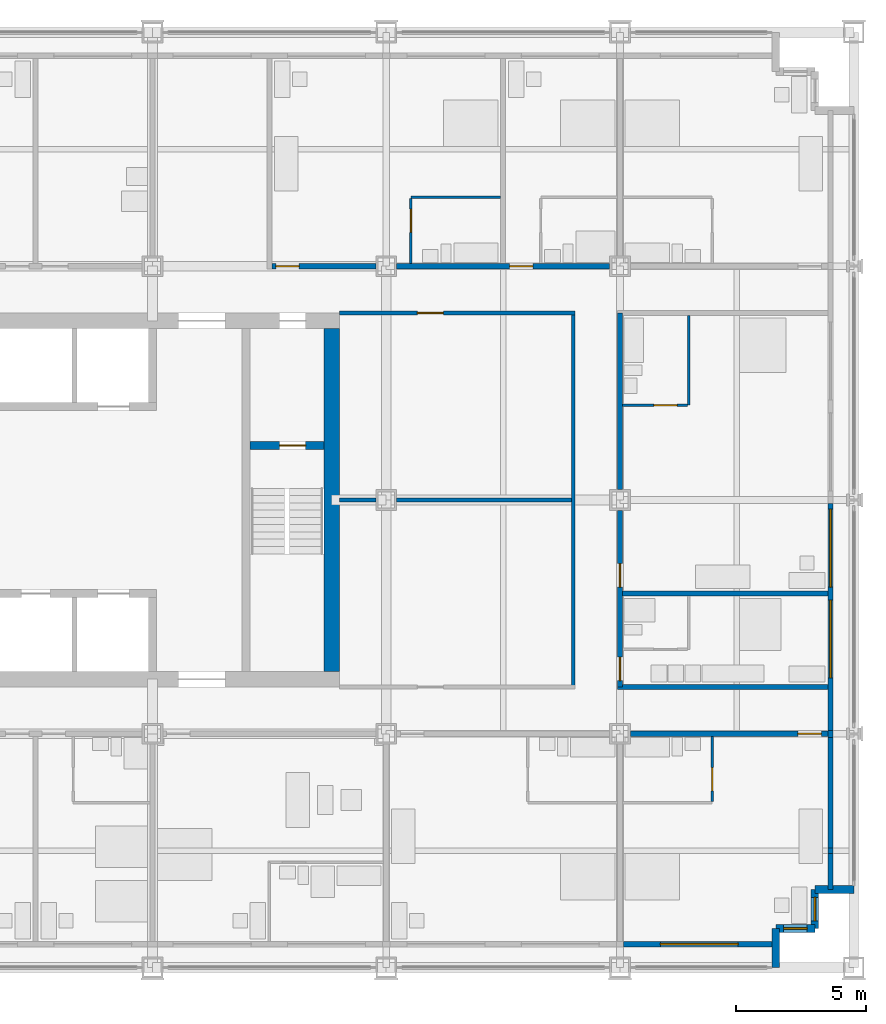
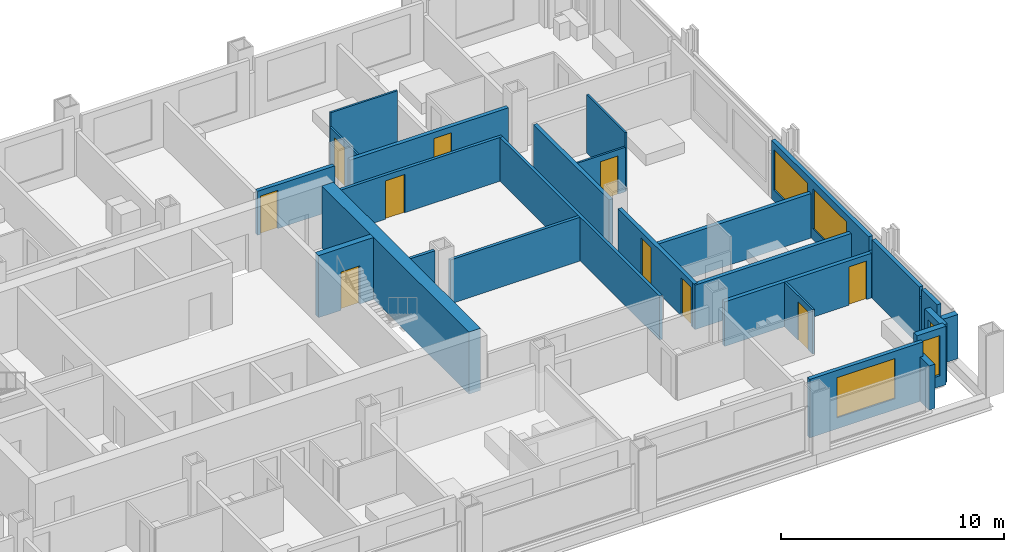
# One storey, part 13 of 18: 28 walls, 10 doors, 5 windows, 15 openings.
"""IFC4 building model written with IfcOpenShell, lengths in metres."""

from ifc_helpers import new_model, si_unit, direction, frame, frame_2d, origin, place, context, subcontext, project, spatial, rectangle, extrude, material, layer, layer_set, type_object, element, fill, save


model = new_model("IFC4")

# Units and contexts
model_context = context("Model", 3, precision=1e-05, world=origin(), true_north=direction((0.0, 1.0)))
body_context = subcontext(model_context, "Body", "Model", "MODEL_VIEW")
ifc_project = project(units=[si_unit("LENGTHUNIT", "METRE"), si_unit("AREAUNIT", "SQUARE_METRE"), si_unit("VOLUMEUNIT", "CUBIC_METRE"), si_unit("PLANEANGLEUNIT", "RADIAN"), si_unit("MASSUNIT", "GRAM", prefix="KILO")], contexts=[model_context])

# Site, building, storey
site_placement = place(None, origin())
site = spatial("IfcSite", under=ifc_project, at=site_placement, CompositionType="ELEMENT")
building_placement = place(site_placement, origin())
building = spatial("IfcBuilding", under=site, at=building_placement, Name="Loomwork Tower", CompositionType="ELEMENT")
storey_placement = place(building_placement, frame((0.0, 0.0, 62.0)))
storey = spatial("IfcBuildingStorey", under=building, at=storey_placement, Name="L15", CompositionType="ELEMENT", Elevation=62.0)

# Wall, opening, door
ifc_material_1 = material(Name="Concrete 14000 psi (97 MPa)", Category="concrete")
ifc_layer_1 = layer(ifc_material_1, 0.300048828125)
ifc_layer_set_1 = layer_set([ifc_layer_1], Name="Core shear wall 300")
wall_type_1 = type_object("IfcWallType", Name="Core shear wall 300", PredefinedType="SHEAR", material=ifc_layer_set_1)
wall_1_placement = place(storey_placement, frame((30.75, 20.10009765625, 0.0), z_axis=(0.0, 0.0, 1.0), x_axis=(1.0, 0.0, 0.0)))
wall_1 = element("IfcWall", 1, at=wall_1_placement, inside=storey, type_object=wall_type_1, Name="Stair B north wall L15", PredefinedType="SHEAR", context=body_context, shape_type="SweptSolid", body=[
    extrude(rectangle(XDim=2.85009765625, YDim=0.300048828125, at=frame_2d((1.425048828125, 0.0))), origin(), (0.0, 0.0, 1.0), 3.39990234375),
])
opening_1_placement = place(wall_1_placement, frame((1.14990234375, 0.0, 0.0)))
opening_1 = element("IfcOpeningElement", 2, at=opening_1_placement, cuts=wall_1, Name="Opening D4", PredefinedType="OPENING", context=body_context, shape_type="SweptSolid", body=[
    extrude(rectangle(XDim=1.0, YDim=2.10009765625, at=frame_2d((0.5, 1.050048828125))), frame((0.0, 0.159912109375, 0.0), z_axis=(0.0, -1.0, 0.0), x_axis=(1.0, 0.0, 0.0)), (0.0, 0.0, 1.0), 0.320068359375),
])
ifc_material_2 = material(Name="Hollow metal door and frame")
door_type_1 = type_object("IfcDoorType", Name="Stair door 1000", OperationType="SINGLE_SWING_RIGHT", PredefinedType="DOOR", material=ifc_material_2)
door_1_placement = place(opening_1_placement, frame((1.0, 0.0, 0.0), z_axis=(0.0, 0.0, 1.0), x_axis=(-1.0, 0.0, 0.0)))
door_1 = element("IfcDoor", 3, at=door_1_placement, inside=storey, type_object=door_type_1, Name="Stair B door", OperationType="SINGLE_SWING_LEFT", OverallHeight=2.10009765625, OverallWidth=1.0, PredefinedType="DOOR", context=body_context, shape_type="SweptSolid", body=[
    extrude(rectangle(XDim=1.0, YDim=2.10009765625, at=frame_2d((0.5, 1.050048828125))), frame((0.0, 0.02490234375, 0.0), z_axis=(0.0, -1.0, 0.0), x_axis=(1.0, 0.0, 0.0)), (0.0, 0.0, 1.0), 0.050048828125),
])
fill(opening_1, door_1)

# Wall
ifc_material_3 = material(Name="Concrete 14000 psi (97 MPa)", Category="concrete")
ifc_layer_2 = layer(ifc_material_3, 0.60009765625)
ifc_layer_set_2 = layer_set([ifc_layer_2], Name="Core shear wall 600")
wall_type_2 = type_object("IfcWallType", Name="Core shear wall 600", PredefinedType="SHEAR", material=ifc_layer_set_2)
wall_2_placement = place(storey_placement, frame((33.89990234375, 11.39990234375, 0.0), z_axis=(0.0, 0.0, 1.0), x_axis=(0.0, 1.0, 0.0)))
element("IfcWall", 4, at=wall_2_placement, inside=storey, type_object=wall_type_2, Name="Core wall east L15", PredefinedType="SHEAR", context=body_context, shape_type="SweptSolid", body=[
    extrude(rectangle(XDim=13.2001953125, YDim=0.60009765625, at=frame_2d((6.60009765625, 0.0))), origin(), (0.0, 0.0, 1.0), 3.39990234375),
])

# Wall, opening, door
ifc_material_4 = material(Name="Gypsum board on steel studs, one-hour", Category="steel")
ifc_layer_3 = layer(ifc_material_4, 0.199951171875)
ifc_layer_set_3 = layer_set([ifc_layer_3], Name="Corridor wall 200")
wall_type_3 = type_object("IfcWallType", Name="Corridor wall 200", PredefinedType="PARTITIONING", material=ifc_layer_set_3)
wall_3_placement = place(storey_placement, frame((45.39990234375, 9.0, 0.0), z_axis=(0.0, 0.0, 1.0), x_axis=(1.0, 0.0, 0.0)))
wall_3 = element("IfcWall", 5, at=wall_3_placement, inside=storey, type_object=wall_type_3, Name="South corridor wall 6", PredefinedType="PARTITIONING", context=body_context, shape_type="SweptSolid", body=[
    extrude(rectangle(XDim=7.60009765625, YDim=0.199951171875, at=frame_2d((3.800048828125, 0.0))), origin(), (0.0, 0.0, 1.0), 2.43798828125),
])
opening_2_placement = place(wall_3_placement, frame((6.449951171875, 0.0, 0.0)))
opening_2 = element("IfcOpeningElement", 6, at=opening_2_placement, cuts=wall_3, Name="Opening D1", PredefinedType="OPENING", context=body_context, shape_type="SweptSolid", body=[
    extrude(rectangle(XDim=0.89990234375, YDim=2.10009765625, at=frame_2d((0.449951171875, 1.050048828125))), frame((0.0, 0.10986328125, 0.0), z_axis=(0.0, -1.0, 0.0), x_axis=(1.0, 0.0, 0.0)), (0.0, 0.0, 1.0), 0.219970703125),
])
ifc_material_5 = material(Name="Hollow metal door and frame")
door_type_2 = type_object("IfcDoorType", Name="Guest room entry door 900", OperationType="SINGLE_SWING_LEFT", PredefinedType="DOOR", material=ifc_material_5)
door_2_placement = place(opening_2_placement, frame((0.89990234375, 0.0, 0.0), z_axis=(0.0, 0.0, 1.0), x_axis=(-1.0, 0.0, 0.0)))
door_2 = element("IfcDoor", 7, at=door_2_placement, inside=storey, type_object=door_type_2, Name="Guest room entry door L15 7", OperationType="SINGLE_SWING_LEFT", OverallHeight=2.10009765625, OverallWidth=0.89990234375, PredefinedType="DOOR", context=body_context, shape_type="SweptSolid", body=[
    extrude(rectangle(XDim=0.89990234375, YDim=2.10009765625, at=frame_2d((0.449951171875, 1.050048828125))), frame((0.0, 0.02490234375, 0.0), z_axis=(0.0, -1.0, 0.0), x_axis=(1.0, 0.0, 0.0)), (0.0, 0.0, 1.0), 0.050048828125),
])
fill(opening_2, door_2)

wall_4_placement = place(storey_placement, frame((31.60009765625, 27.0, 0.0), z_axis=(0.0, 0.0, 1.0), x_axis=(1.0, 0.0, 0.0)))
wall_4 = element("IfcWall", 8, at=wall_4_placement, inside=storey, type_object=wall_type_3, Name="North corridor wall 4", PredefinedType="PARTITIONING", context=body_context, shape_type="SweptSolid", body=[
    extrude(rectangle(XDim=4.0, YDim=0.199951171875, at=frame_2d((2.0, 0.0))), origin(), (0.0, 0.0, 1.0), 2.405029296875),
])
opening_3_placement = place(wall_4_placement, frame((0.14990234375, 0.0, 0.0)))
opening_3 = element("IfcOpeningElement", 9, at=opening_3_placement, cuts=wall_4, Name="Opening D1", PredefinedType="OPENING", context=body_context, shape_type="SweptSolid", body=[
    extrude(rectangle(XDim=0.89990234375, YDim=2.10009765625, at=frame_2d((0.449951171875, 1.050048828125))), frame((0.0, 0.10986328125, 0.0), z_axis=(0.0, -1.0, 0.0), x_axis=(1.0, 0.0, 0.0)), (0.0, 0.0, 1.0), 0.219970703125),
])
door_3_placement = place(opening_3_placement, origin())
door_3 = element("IfcDoor", 10, at=door_3_placement, inside=storey, type_object=door_type_2, Name="Guest room entry door L15 13", OperationType="SINGLE_SWING_LEFT", OverallHeight=2.10009765625, OverallWidth=0.89990234375, PredefinedType="DOOR", context=body_context, shape_type="SweptSolid", body=[
    extrude(rectangle(XDim=0.89990234375, YDim=2.10009765625, at=frame_2d((0.449951171875, 1.050048828125))), frame((0.0, 0.02490234375, 0.0), z_axis=(0.0, -1.0, 0.0), x_axis=(1.0, 0.0, 0.0)), (0.0, 0.0, 1.0), 0.050048828125),
])
fill(opening_3, door_3)

wall_5_placement = place(storey_placement, frame((36.39990234375, 27.0, 0.0), z_axis=(0.0, 0.0, 1.0), x_axis=(1.0, 0.0, 0.0)))
wall_5 = element("IfcWall", 11, at=wall_5_placement, inside=storey, type_object=wall_type_3, Name="North corridor wall 5", PredefinedType="PARTITIONING", context=body_context, shape_type="SweptSolid", body=[
    extrude(rectangle(XDim=8.2001953125, YDim=0.199951171875, at=frame_2d((4.10009765625, 0.0))), origin(), (0.0, 0.0, 1.0), 2.43798828125),
])
opening_4_placement = place(wall_5_placement, frame((4.35009765625, 0.0, 0.0)))
opening_4 = element("IfcOpeningElement", 12, at=opening_4_placement, cuts=wall_5, Name="Opening D1", PredefinedType="OPENING", context=body_context, shape_type="SweptSolid", body=[
    extrude(rectangle(XDim=0.89990234375, YDim=2.10009765625, at=frame_2d((0.449951171875, 1.050048828125))), frame((0.0, 0.10986328125, 0.0), z_axis=(0.0, -1.0, 0.0), x_axis=(1.0, 0.0, 0.0)), (0.0, 0.0, 1.0), 0.219970703125),
])
door_4_placement = place(opening_4_placement, origin())
door_4 = element("IfcDoor", 13, at=door_4_placement, inside=storey, type_object=door_type_2, Name="Guest room entry door L15 14", OperationType="SINGLE_SWING_LEFT", OverallHeight=2.10009765625, OverallWidth=0.89990234375, PredefinedType="DOOR", context=body_context, shape_type="SweptSolid", body=[
    extrude(rectangle(XDim=0.89990234375, YDim=2.10009765625, at=frame_2d((0.449951171875, 1.050048828125))), frame((0.0, 0.02490234375, 0.0), z_axis=(0.0, -1.0, 0.0), x_axis=(1.0, 0.0, 0.0)), (0.0, 0.0, 1.0), 0.050048828125),
])
fill(opening_4, door_4)

# Wall, openings, doors
wall_6_placement = place(storey_placement, frame((45.0, 10.800048828125, 0.0), z_axis=(0.0, 0.0, 1.0), x_axis=(0.0, 1.0, 0.0)))
wall_6 = element("IfcWall", 14, at=wall_6_placement, inside=storey, type_object=wall_type_3, Name="East corridor wall 1", PredefinedType="PARTITIONING", context=body_context, shape_type="SweptSolid", body=[
    extrude(rectangle(XDim=6.800048828125, YDim=0.199951171875, at=frame_2d((3.39990234375, 0.0))), origin(), (0.0, 0.0, 1.0), 2.43798828125),
])
opening_5_placement = place(wall_6_placement, frame((0.25, 0.0, 0.0)))
opening_5 = element("IfcOpeningElement", 15, at=opening_5_placement, cuts=wall_6, Name="Opening D1", PredefinedType="OPENING", context=body_context, shape_type="SweptSolid", body=[
    extrude(rectangle(XDim=0.89990234375, YDim=2.10009765625, at=frame_2d((0.449951171875, 1.050048828125))), frame((0.0, 0.10986328125, 0.0), z_axis=(0.0, -1.0, 0.0), x_axis=(1.0, 0.0, 0.0)), (0.0, 0.0, 1.0), 0.219970703125),
])
opening_6_placement = place(wall_6_placement, frame((3.85009765625, 0.0, 0.0)))
opening_6 = element("IfcOpeningElement", 16, at=opening_6_placement, cuts=wall_6, Name="Opening D1", PredefinedType="OPENING", context=body_context, shape_type="SweptSolid", body=[
    extrude(rectangle(XDim=0.89990234375, YDim=2.10009765625, at=frame_2d((0.449951171875, 1.050048828125))), frame((0.0, 0.10986328125, 0.0), z_axis=(0.0, -1.0, 0.0), x_axis=(1.0, 0.0, 0.0)), (0.0, 0.0, 1.0), 0.219970703125),
])
door_5_placement = place(opening_5_placement, frame((0.89990234375, 0.0, 0.0), z_axis=(0.0, 0.0, 1.0), x_axis=(-1.0, 0.0, 0.0)))
door_5 = element("IfcDoor", 17, at=door_5_placement, inside=storey, type_object=door_type_2, Name="Guest room entry door L15 18", OperationType="SINGLE_SWING_RIGHT", OverallHeight=2.10009765625, OverallWidth=0.89990234375, PredefinedType="DOOR", context=body_context, shape_type="SweptSolid", body=[
    extrude(rectangle(XDim=0.89990234375, YDim=2.10009765625, at=frame_2d((0.449951171875, 1.050048828125))), frame((0.0, 0.02490234375, 0.0), z_axis=(0.0, -1.0, 0.0), x_axis=(1.0, 0.0, 0.0)), (0.0, 0.0, 1.0), 0.050048828125),
])
fill(opening_5, door_5)
door_6_placement = place(opening_6_placement, frame((0.89990234375, 0.0, 0.0), z_axis=(0.0, 0.0, 1.0), x_axis=(-1.0, 0.0, 0.0)))
door_6 = element("IfcDoor", 18, at=door_6_placement, inside=storey, type_object=door_type_2, Name="Guest room entry door L15 19", OperationType="SINGLE_SWING_RIGHT", OverallHeight=2.10009765625, OverallWidth=0.89990234375, PredefinedType="DOOR", context=body_context, shape_type="SweptSolid", body=[
    extrude(rectangle(XDim=0.89990234375, YDim=2.10009765625, at=frame_2d((0.449951171875, 1.050048828125))), frame((0.0, 0.02490234375, 0.0), z_axis=(0.0, -1.0, 0.0), x_axis=(1.0, 0.0, 0.0)), (0.0, 0.0, 1.0), 0.050048828125),
])
fill(opening_6, door_6)

# Walls
wall_7_placement = place(storey_placement, frame((45.0, 18.39990234375, 0.0), z_axis=(0.0, 0.0, 1.0), x_axis=(0.0, 1.0, 0.0)))
element("IfcWall", 19, at=wall_7_placement, inside=storey, type_object=wall_type_3, Name="East corridor wall 2", PredefinedType="PARTITIONING", context=body_context, shape_type="SweptSolid", body=[
    extrude(rectangle(XDim=6.800048828125, YDim=0.199951171875, at=frame_2d((3.39990234375, 0.0))), origin(), (0.0, 0.0, 1.0), 2.43798828125),
])
wall_8_placement = place(storey_placement, frame((44.89990234375, 10.800048828125, 0.0), z_axis=(0.0, 0.0, 1.0), x_axis=(1.0, 0.0, 0.0)))
element("IfcWall", 20, at=wall_8_placement, inside=storey, type_object=wall_type_3, Name="East band end wall S", PredefinedType="PARTITIONING", context=body_context, shape_type="SweptSolid", body=[
    extrude(rectangle(XDim=8.10009765625, YDim=0.199951171875, at=frame_2d((4.050048828125, 0.0))), origin(), (0.0, 0.0, 1.0), 2.43798828125),
])

# Wall, opening, door
ifc_material_6 = material(Name="Cement board on steel studs", Category="steel")
ifc_layer_4 = layer(ifc_material_6, 0.10009765625)
ifc_layer_set_4 = layer_set([ifc_layer_4], Name="En-suite partition 100")
wall_type_4 = type_object("IfcWallType", Name="En-suite partition 100", PredefinedType="PARTITIONING", material=ifc_layer_set_4)
wall_9_placement = place(storey_placement, frame((48.550048828125, 8.89990234375, 0.0), z_axis=(0.0, 0.0, 1.0), x_axis=(0.0, -1.0, 0.0)))
wall_9 = element("IfcWall", 21, at=wall_9_placement, inside=storey, type_object=wall_type_4, Name="En-suite side wall L15 room 7", PredefinedType="PARTITIONING", context=body_context, shape_type="SweptSolid", body=[
    extrude(rectangle(XDim=2.5, YDim=0.10009765625, at=frame_2d((1.25, 0.0))), origin(), (0.0, 0.0, 1.0), 2.43798828125),
])
opening_7_placement = place(wall_9_placement, frame((1.199951171875, 0.0, 0.0)))
opening_7 = element("IfcOpeningElement", 22, at=opening_7_placement, cuts=wall_9, Name="Opening D2", PredefinedType="OPENING", context=body_context, shape_type="SweptSolid", body=[
    extrude(rectangle(XDim=0.89990234375, YDim=2.10009765625, at=frame_2d((0.449951171875, 1.050048828125))), frame((0.0, 0.06005859375, 0.0), z_axis=(0.0, -1.0, 0.0), x_axis=(1.0, 0.0, 0.0)), (0.0, 0.0, 1.0), 0.1201171875),
])
ifc_material_7 = material(Name="Hollow metal door and frame")
door_type_3 = type_object("IfcDoorType", Name="En-suite door 900", OperationType="SINGLE_SWING_LEFT", PredefinedType="DOOR", material=ifc_material_7)
door_7_placement = place(opening_7_placement, frame((0.89990234375, 0.0, 0.0), z_axis=(0.0, 0.0, 1.0), x_axis=(-1.0, 0.0, 0.0)))
door_7 = element("IfcDoor", 23, at=door_7_placement, inside=storey, type_object=door_type_3, Name="En-suite door room 7", OperationType="SINGLE_SWING_LEFT", OverallHeight=2.10009765625, OverallWidth=0.89990234375, PredefinedType="DOOR", context=body_context, shape_type="SweptSolid", body=[
    extrude(rectangle(XDim=0.89990234375, YDim=2.10009765625, at=frame_2d((0.449951171875, 1.050048828125))), frame((0.0, 0.02490234375, 0.0), z_axis=(0.0, -1.0, 0.0), x_axis=(1.0, 0.0, 0.0)), (0.0, 0.0, 1.0), 0.050048828125),
])
fill(opening_7, door_7)

# Wall
wall_10_placement = place(storey_placement, frame((36.949951171875, 29.64990234375, 0.0), z_axis=(0.0, 0.0, 1.0), x_axis=(1.0, 0.0, 0.0)))
element("IfcWall", 24, at=wall_10_placement, inside=storey, type_object=wall_type_4, Name="En-suite wall L15 room 13", PredefinedType="PARTITIONING", context=body_context, shape_type="SweptSolid", body=[
    extrude(rectangle(XDim=3.449951171875, YDim=0.10009765625, at=frame_2d((1.72509765625, 0.0))), origin(), (0.0, 0.0, 1.0), 3.199951171875),
])

# Wall, opening, door
wall_11_placement = place(storey_placement, frame((36.949951171875, 27.10009765625, 0.0), z_axis=(0.0, 0.0, 1.0), x_axis=(0.0, 1.0, 0.0)))
wall_11 = element("IfcWall", 25, at=wall_11_placement, inside=storey, type_object=wall_type_4, Name="En-suite side wall L15 room 13", PredefinedType="PARTITIONING", context=body_context, shape_type="SweptSolid", body=[
    extrude(rectangle(XDim=2.5, YDim=0.10009765625, at=frame_2d((1.25, 0.0))), origin(), (0.0, 0.0, 1.0), 2.43798828125),
])
opening_8_placement = place(wall_11_placement, frame((1.199951171875, 0.0, 0.0)))
opening_8 = element("IfcOpeningElement", 26, at=opening_8_placement, cuts=wall_11, Name="Opening D2", PredefinedType="OPENING", context=body_context, shape_type="SweptSolid", body=[
    extrude(rectangle(XDim=0.89990234375, YDim=2.10009765625, at=frame_2d((0.449951171875, 1.050048828125))), frame((0.0, 0.06005859375, 0.0), z_axis=(0.0, -1.0, 0.0), x_axis=(1.0, 0.0, 0.0)), (0.0, 0.0, 1.0), 0.1201171875),
])
door_8_placement = place(opening_8_placement, frame((0.89990234375, 0.0, 0.0), z_axis=(0.0, 0.0, 1.0), x_axis=(-1.0, 0.0, 0.0)))
door_8 = element("IfcDoor", 27, at=door_8_placement, inside=storey, type_object=door_type_3, Name="En-suite door room 13", OperationType="SINGLE_SWING_LEFT", OverallHeight=2.10009765625, OverallWidth=0.89990234375, PredefinedType="DOOR", context=body_context, shape_type="SweptSolid", body=[
    extrude(rectangle(XDim=0.89990234375, YDim=2.10009765625, at=frame_2d((0.449951171875, 1.050048828125))), frame((0.0, 0.02490234375, 0.0), z_axis=(0.0, -1.0, 0.0), x_axis=(1.0, 0.0, 0.0)), (0.0, 0.0, 1.0), 0.050048828125),
])
fill(opening_8, door_8)

# Wall
wall_12_placement = place(storey_placement, frame((47.64990234375, 21.64990234375, 0.0), z_axis=(0.0, 0.0, 1.0), x_axis=(0.0, 1.0, 0.0)))
element("IfcWall", 28, at=wall_12_placement, inside=storey, type_object=wall_type_4, Name="En-suite wall L15 room 19", PredefinedType="PARTITIONING", context=body_context, shape_type="SweptSolid", body=[
    extrude(rectangle(XDim=3.4501953125, YDim=0.10009765625, at=frame_2d((1.72509765625, 0.0))), origin(), (0.0, 0.0, 1.0), 3.199951171875),
])

# Wall, opening, door
wall_13_placement = place(storey_placement, frame((45.10009765625, 21.64990234375, 0.0), z_axis=(0.0, 0.0, 1.0), x_axis=(1.0, 0.0, 0.0)))
wall_13 = element("IfcWall", 29, at=wall_13_placement, inside=storey, type_object=wall_type_4, Name="En-suite side wall L15 room 19", PredefinedType="PARTITIONING", context=body_context, shape_type="SweptSolid", body=[
    extrude(rectangle(XDim=2.5, YDim=0.10009765625, at=frame_2d((1.25, 0.0))), origin(), (0.0, 0.0, 1.0), 2.43798828125),
])
opening_9_placement = place(wall_13_placement, frame((1.199951171875, 0.0, 0.0)))
opening_9 = element("IfcOpeningElement", 30, at=opening_9_placement, cuts=wall_13, Name="Opening D2", PredefinedType="OPENING", context=body_context, shape_type="SweptSolid", body=[
    extrude(rectangle(XDim=0.89990234375, YDim=2.10009765625, at=frame_2d((0.449951171875, 1.050048828125))), frame((0.0, 0.06005859375, 0.0), z_axis=(0.0, -1.0, 0.0), x_axis=(1.0, 0.0, 0.0)), (0.0, 0.0, 1.0), 0.1201171875),
])
door_9_placement = place(opening_9_placement, origin())
door_9 = element("IfcDoor", 31, at=door_9_placement, inside=storey, type_object=door_type_3, Name="En-suite door room 19", OperationType="SINGLE_SWING_RIGHT", OverallHeight=2.10009765625, OverallWidth=0.89990234375, PredefinedType="DOOR", context=body_context, shape_type="SweptSolid", body=[
    extrude(rectangle(XDim=0.89990234375, YDim=2.10009765625, at=frame_2d((0.449951171875, 1.050048828125))), frame((0.0, 0.02490234375, 0.0), z_axis=(0.0, -1.0, 0.0), x_axis=(1.0, 0.0, 0.0)), (0.0, 0.0, 1.0), 0.050048828125),
])
fill(opening_9, door_9)

# Walls
ifc_material_8 = material(Name="Gypsum board on steel studs, acoustic", Category="steel")
ifc_layer_5 = layer(ifc_material_8, 0.199951171875)
ifc_layer_set_5 = layer_set([ifc_layer_5], Name="Guest room party wall 200")
wall_type_5 = type_object("IfcWallType", Name="Guest room party wall 200", PredefinedType="PARTITIONING", material=ifc_layer_set_5)
wall_14_placement = place(storey_placement, frame((45.10009765625, 14.39990234375, 0.0), z_axis=(0.0, 0.0, 1.0), x_axis=(1.0, 0.0, 0.0)))
element("IfcWall", 32, at=wall_14_placement, inside=storey, type_object=wall_type_5, Name="Guest room party wall E 14.4", PredefinedType="PARTITIONING", context=body_context, shape_type="SweptSolid", body=[
    extrude(rectangle(XDim=7.89990234375, YDim=0.199951171875, at=frame_2d((3.949951171875, 0.0))), origin(), (0.0, 0.0, 1.0), 2.43798828125),
])
ifc_material_9 = material(Name="Insulated steel stud wall with gypsum lining", Category="steel")
ifc_layer_6 = layer(ifc_material_9, 0.199951171875)
ifc_layer_set_6 = layer_set([ifc_layer_6], Name="Inner skin wall 200")
wall_type_6 = type_object("IfcWallType", Name="Inner skin wall 200", PredefinedType="SOLIDWALL", material=ifc_layer_set_6)
wall_15_placement = place(storey_placement, frame((53.10009765625, 3.0, 0.0), z_axis=(0.0, 0.0, 1.0), x_axis=(0.0, 1.0, 0.0)))
element("IfcWall", 33, at=wall_15_placement, inside=storey, type_object=wall_type_6, Name="Inner skin wall E", PredefinedType="SOLIDWALL", context=body_context, shape_type="SweptSolid", body=[
    extrude(rectangle(XDim=1.392578125, YDim=0.199951171875, at=frame_2d((0.6962890625, 0.0))), origin(), (0.0, 0.0, 1.0), 3.199951171875),
])

# Wall, opening, window
wall_16_placement = place(storey_placement, frame((45.135498046875, 0.89990234375, 0.0), z_axis=(0.0, 0.0, 1.0), x_axis=(1.0, 0.0, 0.0)))
wall_16 = element("IfcWall", 34, at=wall_16_placement, inside=storey, type_object=wall_type_6, Name="Inner skin wall S bay 11", PredefinedType="SOLIDWALL", context=body_context, shape_type="SweptSolid", body=[
    extrude(rectangle(XDim=5.864501953125, YDim=0.199951171875, at=frame_2d((2.93212890625, 0.0))), origin(), (0.0, 0.0, 1.0), 3.199951171875),
])
opening_10_placement = place(wall_16_placement, frame((1.41455078125, 0.0, 0.60009765625)))
opening_10 = element("IfcOpeningElement", 35, at=opening_10_placement, cuts=wall_16, Name="Opening CH1", PredefinedType="OPENING", context=body_context, shape_type="SweptSolid", body=[
    extrude(rectangle(XDim=3.0, YDim=2.199951171875, at=frame_2d((1.5, 1.10009765625))), frame((0.0, 0.10986328125, 0.0), z_axis=(0.0, -1.0, 0.0), x_axis=(1.0, 0.0, 0.0)), (0.0, 0.0, 1.0), 0.219970703125),
])
ifc_material_10 = material(Name="Aluminium frame with clear insulated glass", Category="aluminium")
window_type_1 = type_object("IfcWindowType", Name="Chicago window 3000", PartitioningType="TRIPLE_PANEL_VERTICAL", PredefinedType="WINDOW", material=ifc_material_10)
window_1_placement = place(opening_10_placement, origin())
window_1 = element("IfcWindow", 36, at=window_1_placement, inside=storey, type_object=window_type_1, Name="Chicago window L15 bay 6", OverallHeight=2.199951171875, OverallWidth=3.0, PartitioningType="TRIPLE_PANEL_VERTICAL", PredefinedType="WINDOW", context=body_context, shape_type="SweptSolid", body=[
    extrude(rectangle(XDim=3.0, YDim=2.199951171875, at=frame_2d((1.5, 1.10009765625))), frame((0.0, 0.030029296875, 0.0), z_axis=(0.0, -1.0, 0.0), x_axis=(1.0, 0.0, 0.0)), (0.0, 0.0, 1.0), 0.06005859375),
])
fill(opening_10, window_1)

# Walls
wall_17_placement = place(storey_placement, frame((53.10009765625, 4.392578125, 0.0), z_axis=(0.0, 0.0, 1.0), x_axis=(0.0, 1.0, 0.0)))
element("IfcWall", 37, at=wall_17_placement, inside=storey, type_object=wall_type_6, Name="Inner skin wall E bay 2", PredefinedType="SOLIDWALL", context=body_context, shape_type="SweptSolid", body=[
    extrude(rectangle(XDim=0.21484375, YDim=0.199951171875, at=frame_2d((0.107421875, 0.0))), origin(), (0.0, 0.0, 1.0), 2.660888671875),
])
wall_18_placement = place(storey_placement, frame((53.10009765625, 4.607421875, 0.0), z_axis=(0.0, 0.0, 1.0), x_axis=(0.0, 1.0, 0.0)))
element("IfcWall", 38, at=wall_18_placement, inside=storey, type_object=wall_type_6, Name="Inner skin wall E bay 3", PredefinedType="SOLIDWALL", context=body_context, shape_type="SweptSolid", body=[
    extrude(rectangle(XDim=4.25732421875, YDim=0.199951171875, at=frame_2d((2.128662109375, 0.0))), origin(), (0.0, 0.0, 1.0), 3.199951171875),
])
wall_19_placement = place(storey_placement, frame((53.10009765625, 8.86474609375, 0.0), z_axis=(0.0, 0.0, 1.0), x_axis=(0.0, 1.0, 0.0)))
element("IfcWall", 39, at=wall_19_placement, inside=storey, type_object=wall_type_6, Name="Inner skin wall E bay 4", PredefinedType="SOLIDWALL", context=body_context, shape_type="SweptSolid", body=[
    extrude(rectangle(XDim=0.2705078125, YDim=0.199951171875, at=frame_2d((0.13525390625, 0.0))), origin(), (0.0, 0.0, 1.0), 2.43798828125),
])

# Wall, openings, windows
wall_20_placement = place(storey_placement, frame((53.10009765625, 9.13525390625, 0.0), z_axis=(0.0, 0.0, 1.0), x_axis=(0.0, 1.0, 0.0)))
wall_20 = element("IfcWall", 40, at=wall_20_placement, inside=storey, type_object=wall_type_6, Name="Inner skin wall E bay 5", PredefinedType="SOLIDWALL", context=body_context, shape_type="SweptSolid", body=[
    extrude(rectangle(XDim=8.729248046875, YDim=0.199951171875, at=frame_2d((4.36474609375, 0.0))), origin(), (0.0, 0.0, 1.0), 3.199951171875),
])
opening_11_placement = place(wall_20_placement, frame((2.0146484375, 0.0, 0.60009765625)))
opening_11 = element("IfcOpeningElement", 41, at=opening_11_placement, cuts=wall_20, Name="Opening CH1", PredefinedType="OPENING", context=body_context, shape_type="SweptSolid", body=[
    extrude(rectangle(XDim=3.0, YDim=2.199951171875, at=frame_2d((1.5, 1.10009765625))), frame((0.0, 0.10986328125, 0.0), z_axis=(0.0, -1.0, 0.0), x_axis=(1.0, 0.0, 0.0)), (0.0, 0.0, 1.0), 0.219970703125),
])
opening_12_placement = place(wall_20_placement, frame((5.5146484375, 0.0, 0.60009765625)))
opening_12 = element("IfcOpeningElement", 42, at=opening_12_placement, cuts=wall_20, Name="Opening CH1", PredefinedType="OPENING", context=body_context, shape_type="SweptSolid", body=[
    extrude(rectangle(XDim=3.0, YDim=2.199951171875, at=frame_2d((1.5, 1.10009765625))), frame((0.0, 0.10986328125, 0.0), z_axis=(0.0, -1.0, 0.0), x_axis=(1.0, 0.0, 0.0)), (0.0, 0.0, 1.0), 0.219970703125),
])
window_2_placement = place(opening_11_placement, origin())
window_2 = element("IfcWindow", 43, at=window_2_placement, inside=storey, type_object=window_type_1, Name="Chicago window L15 bay 15", OverallHeight=2.199951171875, OverallWidth=3.0, PartitioningType="TRIPLE_PANEL_VERTICAL", PredefinedType="WINDOW", context=body_context, shape_type="SweptSolid", body=[
    extrude(rectangle(XDim=3.0, YDim=2.199951171875, at=frame_2d((1.5, 1.10009765625))), frame((0.0, 0.030029296875, 0.0), z_axis=(0.0, -1.0, 0.0), x_axis=(1.0, 0.0, 0.0)), (0.0, 0.0, 1.0), 0.06005859375),
])
fill(opening_11, window_2)
window_3_placement = place(opening_12_placement, origin())
window_3 = element("IfcWindow", 44, at=window_3_placement, inside=storey, type_object=window_type_1, Name="Chicago window L15 bay 15", OverallHeight=2.199951171875, OverallWidth=3.0, PartitioningType="TRIPLE_PANEL_VERTICAL", PredefinedType="WINDOW", context=body_context, shape_type="SweptSolid", body=[
    extrude(rectangle(XDim=3.0, YDim=2.199951171875, at=frame_2d((1.5, 1.10009765625))), frame((0.0, 0.030029296875, 0.0), z_axis=(0.0, -1.0, 0.0), x_axis=(1.0, 0.0, 0.0)), (0.0, 0.0, 1.0), 0.06005859375),
])
fill(opening_12, window_3)

# Wall
ifc_material_11 = material(Name="Limestone on concrete masonry", Category="masonry")
ifc_layer_7 = layer(ifc_material_11, 0.300048828125)
ifc_layer_set_7 = layer_set([ifc_layer_7], Name="Limestone corner wall 300")
wall_type_7 = type_object("IfcWallType", Name="Limestone corner wall 300", PredefinedType="SOLIDWALL", material=ifc_layer_set_7)
wall_21_placement = place(storey_placement, frame((51.0, 0.0, 0.0), z_axis=(0.0, 0.0, 1.0), x_axis=(0.0, 1.0, 0.0)))
element("IfcWall", 45, at=wall_21_placement, inside=storey, type_object=wall_type_7, Name="Stone corner wall SE 1", PredefinedType="SOLIDWALL", context=body_context, shape_type="SweptSolid", body=[
    extrude(rectangle(XDim=1.5, YDim=0.300048828125, at=frame_2d((0.75, 0.0))), origin(), (0.0, 0.0, 1.0), 2.419921875),
])

# Wall, opening, window
wall_22_placement = place(storey_placement, frame((51.0, 1.5, 0.0), z_axis=(0.0, 0.0, 1.0), x_axis=(1.0, 0.0, 0.0)))
wall_22 = element("IfcWall", 46, at=wall_22_placement, inside=storey, type_object=wall_type_7, Name="Stone corner wall SE 2", PredefinedType="SOLIDWALL", context=body_context, shape_type="SweptSolid", body=[
    extrude(rectangle(XDim=1.5, YDim=0.300048828125, at=frame_2d((0.75, 0.0))), origin(), (0.0, 0.0, 1.0), 3.199951171875),
])
opening_13_placement = place(wall_22_placement, frame((0.300048828125, 0.0, 0.60009765625)))
opening_13 = element("IfcOpeningElement", 47, at=opening_13_placement, cuts=wall_22, Name="Opening CH2", PredefinedType="OPENING", context=body_context, shape_type="SweptSolid", body=[
    extrude(rectangle(XDim=0.89990234375, YDim=2.199951171875, at=frame_2d((0.449951171875, 1.10009765625))), frame((0.0, 0.159912109375, 0.0), z_axis=(0.0, -1.0, 0.0), x_axis=(1.0, 0.0, 0.0)), (0.0, 0.0, 1.0), 0.320068359375),
])
ifc_material_12 = material(Name="Aluminium frame with clear insulated glass", Category="aluminium")
window_type_2 = type_object("IfcWindowType", Name="Corner window 900", PartitioningType="SINGLE_PANEL", PredefinedType="WINDOW", material=ifc_material_12)
window_4_placement = place(opening_13_placement, origin())
window_4 = element("IfcWindow", 48, at=window_4_placement, inside=storey, type_object=window_type_2, Name="Corner window SE", OverallHeight=2.199951171875, OverallWidth=0.89990234375, PartitioningType="SINGLE_PANEL", PredefinedType="WINDOW", context=body_context, shape_type="SweptSolid", body=[
    extrude(rectangle(XDim=0.89990234375, YDim=2.199951171875, at=frame_2d((0.449951171875, 1.10009765625))), frame((0.0, 0.030029296875, 0.0), z_axis=(0.0, -1.0, 0.0), x_axis=(1.0, 0.0, 0.0)), (0.0, 0.0, 1.0), 0.06005859375),
])
fill(opening_13, window_4)

wall_23_placement = place(storey_placement, frame((52.5, 1.5, 0.0), z_axis=(0.0, 0.0, 1.0), x_axis=(0.0, 1.0, 0.0)))
wall_23 = element("IfcWall", 49, at=wall_23_placement, inside=storey, type_object=wall_type_7, Name="Stone corner wall SE 3", PredefinedType="SOLIDWALL", context=body_context, shape_type="SweptSolid", body=[
    extrude(rectangle(XDim=1.5, YDim=0.300048828125, at=frame_2d((0.75, 0.0))), origin(), (0.0, 0.0, 1.0), 3.199951171875),
])
opening_14_placement = place(wall_23_placement, frame((0.300048828125, 0.0, 0.60009765625)))
opening_14 = element("IfcOpeningElement", 50, at=opening_14_placement, cuts=wall_23, Name="Opening CH2", PredefinedType="OPENING", context=body_context, shape_type="SweptSolid", body=[
    extrude(rectangle(XDim=0.89990234375, YDim=2.199951171875, at=frame_2d((0.449951171875, 1.10009765625))), frame((0.0, 0.159912109375, 0.0), z_axis=(0.0, -1.0, 0.0), x_axis=(1.0, 0.0, 0.0)), (0.0, 0.0, 1.0), 0.320068359375),
])
window_5_placement = place(opening_14_placement, origin())
window_5 = element("IfcWindow", 51, at=window_5_placement, inside=storey, type_object=window_type_2, Name="Corner window SE", OverallHeight=2.199951171875, OverallWidth=0.89990234375, PartitioningType="SINGLE_PANEL", PredefinedType="WINDOW", context=body_context, shape_type="SweptSolid", body=[
    extrude(rectangle(XDim=0.89990234375, YDim=2.199951171875, at=frame_2d((0.449951171875, 1.10009765625))), frame((0.0, 0.030029296875, 0.0), z_axis=(0.0, -1.0, 0.0), x_axis=(1.0, 0.0, 0.0)), (0.0, 0.0, 1.0), 0.06005859375),
])
fill(opening_14, window_5)

# Wall
wall_24_placement = place(storey_placement, frame((52.5, 3.0, 0.0), z_axis=(0.0, 0.0, 1.0), x_axis=(1.0, 0.0, 0.0)))
element("IfcWall", 52, at=wall_24_placement, inside=storey, type_object=wall_type_7, Name="Stone corner wall SE 4", PredefinedType="SOLIDWALL", context=body_context, shape_type="SweptSolid", body=[
    extrude(rectangle(XDim=1.5, YDim=0.300048828125, at=frame_2d((0.75, 0.0))), origin(), (0.0, 0.0, 1.0), 2.419921875),
])

# Wall, opening, door
ifc_material_13 = material(Name="Gypsum board on steel studs, one-hour", Category="steel")
ifc_layer_8 = layer(ifc_material_13, 0.14990234375)
ifc_layer_set_8 = layer_set([ifc_layer_8], Name="Service partition 150")
wall_type_8 = type_object("IfcWallType", Name="Service partition 150", PredefinedType="PARTITIONING", material=ifc_layer_set_8)
wall_25_placement = place(storey_placement, frame((34.199951171875, 25.199951171875, 0.0), z_axis=(0.0, 0.0, 1.0), x_axis=(1.0, 0.0, 0.0)))
wall_25 = element("IfcWall", 53, at=wall_25_placement, inside=storey, type_object=wall_type_8, Name="Service block wall N", PredefinedType="PARTITIONING", context=body_context, shape_type="SweptSolid", body=[
    extrude(rectangle(XDim=9.074951171875, YDim=0.14990234375, at=frame_2d((4.53759765625, 0.0))), origin(), (0.0, 0.0, 1.0), 2.404052734375),
])
opening_15_placement = place(wall_25_placement, frame((3.0, 0.0, 0.0)))
opening_15 = element("IfcOpeningElement", 54, at=opening_15_placement, cuts=wall_25, Name="Opening D5", PredefinedType="OPENING", context=body_context, shape_type="SweptSolid", body=[
    extrude(rectangle(XDim=1.0, YDim=2.10009765625, at=frame_2d((0.5, 1.050048828125))), frame((0.0, 0.0849609375, 0.0), z_axis=(0.0, -1.0, 0.0), x_axis=(1.0, 0.0, 0.0)), (0.0, 0.0, 1.0), 0.169921875),
])
ifc_material_14 = material(Name="Hollow metal door and frame")
door_type_4 = type_object("IfcDoorType", Name="Service door 1000", OperationType="SINGLE_SWING_LEFT", PredefinedType="DOOR", material=ifc_material_14)
door_10_placement = place(opening_15_placement, frame((1.0, 0.0, 0.0), z_axis=(0.0, 0.0, 1.0), x_axis=(-1.0, 0.0, 0.0)))
door_10 = element("IfcDoor", 55, at=door_10_placement, inside=storey, type_object=door_type_4, Name="Riser room door", OperationType="SINGLE_SWING_RIGHT", OverallHeight=2.10009765625, OverallWidth=1.0, PredefinedType="DOOR", context=body_context, shape_type="SweptSolid", body=[
    extrude(rectangle(XDim=1.0, YDim=2.10009765625, at=frame_2d((0.5, 1.050048828125))), frame((0.0, 0.02490234375, 0.0), z_axis=(0.0, -1.0, 0.0), x_axis=(1.0, 0.0, 0.0)), (0.0, 0.0, 1.0), 0.050048828125),
])
fill(opening_15, door_10)

# Walls
wall_26_placement = place(storey_placement, frame((43.199951171875, 10.800048828125, 0.0), z_axis=(0.0, 0.0, 1.0), x_axis=(0.0, 1.0, 0.0)))
element("IfcWall", 56, at=wall_26_placement, inside=storey, type_object=wall_type_8, Name="Service block east wall", PredefinedType="PARTITIONING", context=body_context, shape_type="SweptSolid", body=[
    extrude(rectangle(XDim=14.39990234375, YDim=0.14990234375, at=frame_2d((7.199951171875, 0.0))), origin(), (0.0, 0.0, 1.0), 2.404052734375),
])
wall_27_placement = place(storey_placement, frame((34.199951171875, 18.0, 0.0), z_axis=(0.0, 0.0, 1.0), x_axis=(1.0, 0.0, 0.0)))
element("IfcWall", 57, at=wall_27_placement, inside=storey, type_object=wall_type_8, Name="Service block divider", PredefinedType="PARTITIONING", context=body_context, shape_type="SweptSolid", body=[
    extrude(rectangle(XDim=1.400146484375, YDim=0.14990234375, at=frame_2d((0.7001953125, 0.0))), origin(), (0.0, 0.0, 1.0), 3.199951171875),
])
wall_28_placement = place(storey_placement, frame((36.39990234375, 18.0, 0.0), z_axis=(0.0, 0.0, 1.0), x_axis=(1.0, 0.0, 0.0)))
element("IfcWall", 58, at=wall_28_placement, inside=storey, type_object=wall_type_8, Name="Service block divider", PredefinedType="PARTITIONING", context=body_context, shape_type="SweptSolid", body=[
    extrude(rectangle(XDim=6.72509765625, YDim=0.14990234375, at=frame_2d((3.362548828125, 0.0))), origin(), (0.0, 0.0, 1.0), 2.405029296875),
])

save(model, "model.ifc")
